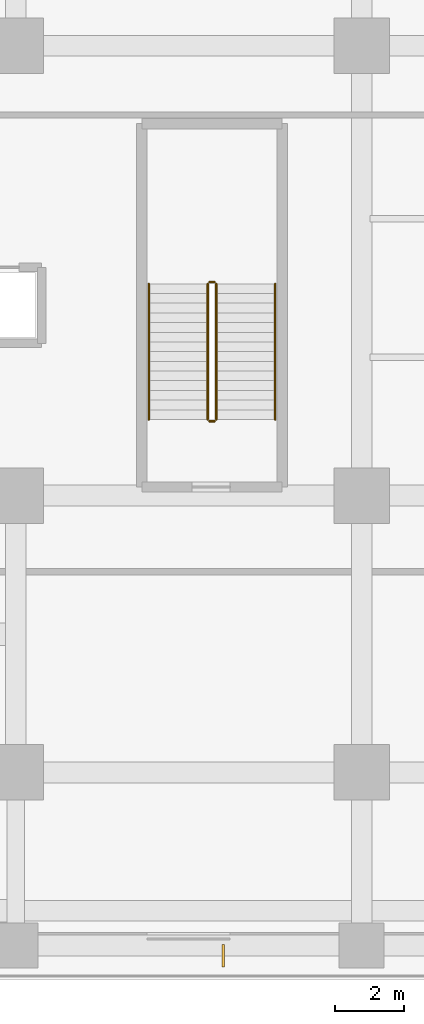
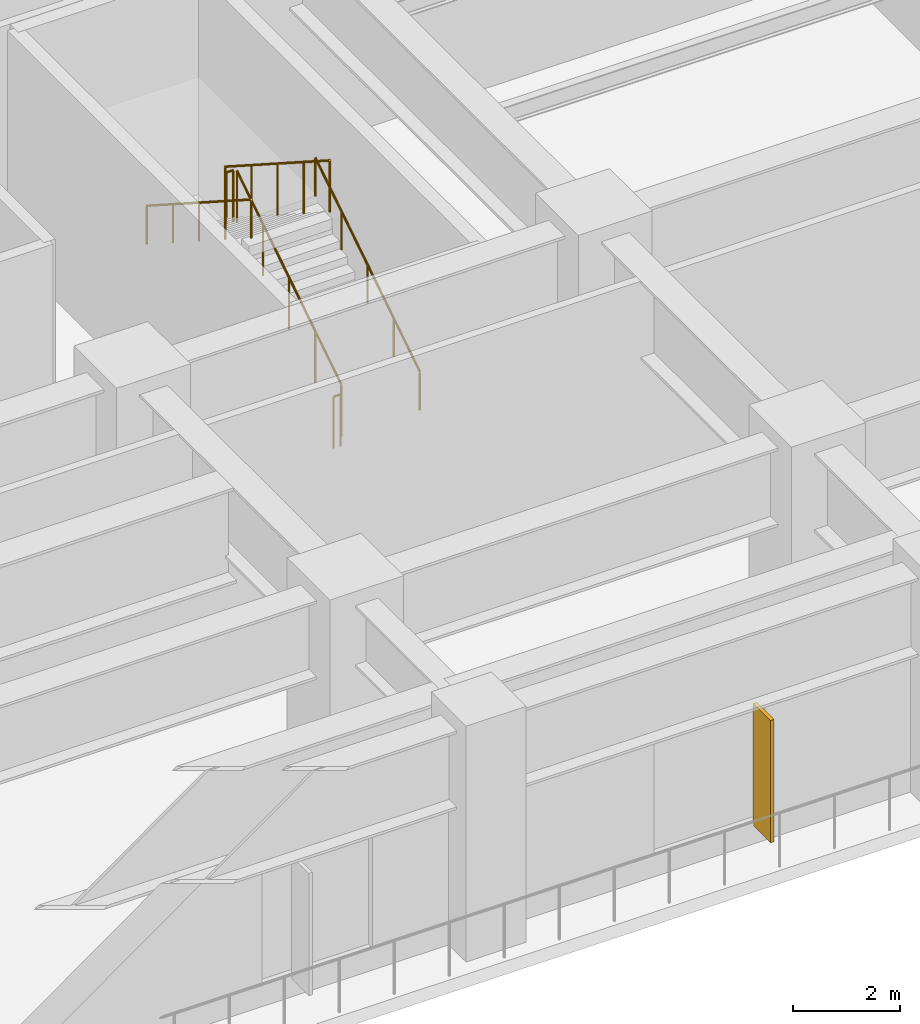
# One storey, part 28 of 28: 6 railings, 1 shading device.
"""IFC4 building model written with IfcOpenShell, lengths in metres."""

from ifc_helpers import new_model, si_unit, direction, frame, origin, origin_2d, place, context, subcontext, project, spatial, rectangle, circle, extrude, source, transform, mapped, material, layer, layer_set, type_object, element, save


model = new_model("IFC4")

# Units and contexts
model_context = context("Model", 3, precision=1e-05, world=origin(), true_north=direction((0.0, 1.0)))
body_context = subcontext(model_context, "Body", "Model", "MODEL_VIEW")
ifc_project = project(units=[si_unit("LENGTHUNIT", "METRE"), si_unit("AREAUNIT", "SQUARE_METRE"), si_unit("VOLUMEUNIT", "CUBIC_METRE"), si_unit("PLANEANGLEUNIT", "RADIAN"), si_unit("MASSUNIT", "GRAM", prefix="KILO")], contexts=[model_context])

# Site, building, storey
site_placement = place(None, origin())
site = spatial("IfcSite", under=ifc_project, at=site_placement, CompositionType="ELEMENT")
building_placement = place(site_placement, origin())
building = spatial("IfcBuilding", under=site, at=building_placement, Name="Khorayat Bourse Tower", CompositionType="ELEMENT")
storey_placement = place(building_placement, frame((0.0, 0.0, 6.60009765625)))
storey = spatial("IfcBuildingStorey", under=building, at=storey_placement, Name="L01", CompositionType="ELEMENT", Elevation=6.60009765625)

# Shading device
ifc_material_1 = material(Name="Anodised champagne aluminium", Category="aluminium")
ifc_layer = layer(ifc_material_1, 0.080078125)
ifc_layer_set = layer_set([ifc_layer], Name="Anodised champagne aluminium")
shading_device_type = type_object("IfcShadingDeviceType", Name="SHD-MASHRABIYA-FIN", PredefinedType="USERDEFINED", material=ifc_layer_set)
shared_shape_1 = source(origin(), body_context, "Body", "SweptSolid", [
    extrude(rectangle(XDim=0.080078125, YDim=0.64990234375, at=origin_2d()), origin(), (0.0, 0.0, 1.0), 2.800048828125),
])
shading_device_placement = place(storey_placement, frame((28.0, -37.300048828125, 0.39990234375), z_axis=(0.0, 0.0, 1.0), x_axis=(1.0, 0.0, 0.0)))
element("IfcShadingDevice", 1, at=shading_device_placement, inside=storey, type_object=shading_device_type, Name="L01 Mashrabiya Vertical Shading Fin 4", ObjectType="FIN", PredefinedType="USERDEFINED", context=body_context, shape_type="MappedRepresentation", body=[
    mapped(shared_shape_1, transform((0.0, 0.0, 0.0), scale=1.0)),
])

# Railings
ifc_material_2 = material(Name="Powder-coated steel balustrade", Category="steel")
railing_type_1 = type_object("IfcRailingType", Name="RLG-GUARD-1200", PredefinedType="GUARDRAIL", material=ifc_material_2)
shared_shape_2 = source(origin(), body_context, "Body", "SweptSolid", [
    extrude(circle(Radius=0.02392578125, at=origin_2d()), frame((0.0, 0.0, 1.17578125), z_axis=(-1.0, 0.0, 0.0), x_axis=(0.0, -1.0, 0.0)), (0.0, 0.0, 1.0), 0.14990234375),
    extrude(circle(Radius=0.02099609375, at=origin_2d()), origin(), (0.0, 0.0, 1.0), 1.15185546875),
    extrude(circle(Radius=0.02099609375, at=origin_2d()), frame((-0.14990234375, 0.0, 0.0)), (0.0, 0.0, 1.0), 1.15185546875),
])
for number, where, name in (
    (2, (27.75, -17.830078125, 2.699951171875), "L01 ST-P2 stair guard 2"),
    (3, (27.75, -21.85009765625, 0.0), "L01 ST-P2 stair guard 4"),
):
    element("IfcRailing", number, at=place(storey_placement, frame(where)), inside=storey, type_object=railing_type_1, Name=name, PredefinedType="GUARDRAIL", context=body_context, shape_type="MappedRepresentation", body=[
        mapped(shared_shape_2, transform((0.0, 0.0, 0.0), scale=1.0)),
    ])
shared_shape_3 = source(origin(), body_context, "Body", "SweptSolid", [
    extrude(circle(Radius=0.02392578125, at=origin_2d()), frame((0.0, 0.0, 1.17578125), z_axis=(0.0, 0.841186985886, 0.540744352514), x_axis=(-1.0, 0.0, 0.0)), (0.0, 0.0, 1.0), 4.660400390625),
    extrude(circle(Radius=0.02099609375, at=origin_2d()), origin(), (0.0, 0.0, 1.0), 1.15185546875),
    extrude(circle(Radius=0.02099609375, at=origin_2d()), frame((0.0, 0.97998046875, 0.6298828125)), (0.0, 0.0, 1.0), 1.15185546875),
    extrude(circle(Radius=0.02099609375, at=origin_2d()), frame((0.0, 1.9599609375, 1.260009765625)), (0.0, 0.0, 1.0), 1.15185546875),
    extrude(circle(Radius=0.02099609375, at=origin_2d()), frame((0.0, 2.940185546875, 1.89013671875)), (0.0, 0.0, 1.0), 1.15185546875),
    extrude(circle(Radius=0.02099609375, at=origin_2d()), frame((0.0, 3.920166015625, 2.52001953125)), (0.0, 0.0, 1.0), 1.15185546875),
])
railing_1_placement = place(storey_placement, frame((27.800048828125, -21.800048828125, 0.179931640625)))
element("IfcRailing", 4, at=railing_1_placement, inside=storey, type_object=railing_type_1, Name="L01 ST-P2 stair guard 1", PredefinedType="GUARDRAIL", context=body_context, shape_type="MappedRepresentation", body=[
    mapped(shared_shape_3, transform((0.0, 0.0, 0.0), scale=1.0)),
])
shared_shape_4 = source(origin(), body_context, "Body", "SweptSolid", [
    extrude(circle(Radius=0.02392578125, at=origin_2d()), frame((0.0, 0.0, 1.17578125), z_axis=(0.0, -0.841186985886, 0.540744352514), x_axis=(1.0, 0.0, 0.0)), (0.0, 0.0, 1.0), 4.660400390625),
    extrude(circle(Radius=0.02099609375, at=origin_2d()), origin(), (0.0, 0.0, 1.0), 1.15185546875),
    extrude(circle(Radius=0.02099609375, at=origin_2d()), frame((0.0, -0.97998046875, 0.6298828125)), (0.0, 0.0, 1.0), 1.15185546875),
    extrude(circle(Radius=0.02099609375, at=origin_2d()), frame((0.0, -1.9599609375, 1.260009765625)), (0.0, 0.0, 1.0), 1.15185546875),
    extrude(circle(Radius=0.02099609375, at=origin_2d()), frame((0.0, -2.940185546875, 1.89013671875)), (0.0, 0.0, 1.0), 1.15185546875),
    extrude(circle(Radius=0.02099609375, at=origin_2d()), frame((0.0, -3.920166015625, 2.52001953125)), (0.0, 0.0, 1.0), 1.15185546875),
])
railing_2_placement = place(storey_placement, frame((27.550048828125, -17.8798828125, 2.8798828125)))
element("IfcRailing", 5, at=railing_2_placement, inside=storey, type_object=railing_type_1, Name="L01 ST-P2 stair guard 3", PredefinedType="GUARDRAIL", context=body_context, shape_type="MappedRepresentation", body=[
    mapped(shared_shape_4, transform((0.0, 0.0, 0.0), scale=1.0)),
])
ifc_material_3 = material(Name="Brushed bronze stainless-steel handrail", Category="steel")
railing_type_2 = type_object("IfcRailingType", Name="RLG-HAND-900", PredefinedType="HANDRAIL", material=ifc_material_3)
shared_shape_5 = source(origin(), body_context, "Body", "SweptSolid", [
    extrude(circle(Radius=0.02392578125, at=origin_2d()), frame((0.0, 0.0, 0.8759765625), z_axis=(0.0, 0.841186985886, 0.540744352514), x_axis=(-1.0, 0.0, 0.0)), (0.0, 0.0, 1.0), 4.660400390625),
    extrude(circle(Radius=0.02099609375, at=origin_2d()), origin(), (0.0, 0.0, 1.0), 0.851806640625),
    extrude(circle(Radius=0.02099609375, at=origin_2d()), frame((0.0, 0.97998046875, 0.6298828125)), (0.0, 0.0, 1.0), 0.851806640625),
    extrude(circle(Radius=0.02099609375, at=origin_2d()), frame((0.0, 1.9599609375, 1.260009765625)), (0.0, 0.0, 1.0), 0.851806640625),
    extrude(circle(Radius=0.02099609375, at=origin_2d()), frame((0.0, 2.940185546875, 1.89013671875)), (0.0, 0.0, 1.0), 0.851806640625),
    extrude(circle(Radius=0.02099609375, at=origin_2d()), frame((0.0, 3.920166015625, 2.52001953125)), (0.0, 0.0, 1.0), 0.851806640625),
])
railing_3_placement = place(storey_placement, frame((29.5, -21.800048828125, 0.179931640625)))
element("IfcRailing", 6, at=railing_3_placement, inside=storey, type_object=railing_type_2, Name="L01 ST-P2 stair handrail 1", PredefinedType="HANDRAIL", context=body_context, shape_type="MappedRepresentation", body=[
    mapped(shared_shape_5, transform((0.0, 0.0, 0.0), scale=1.0)),
])
shared_shape_6 = source(origin(), body_context, "Body", "SweptSolid", [
    extrude(circle(Radius=0.02392578125, at=origin_2d()), frame((0.0, 0.0, 0.8759765625), z_axis=(0.0, -0.841186985886, 0.540744352514), x_axis=(1.0, 0.0, 0.0)), (0.0, 0.0, 1.0), 4.660400390625),
    extrude(circle(Radius=0.02099609375, at=origin_2d()), origin(), (0.0, 0.0, 1.0), 0.851806640625),
    extrude(circle(Radius=0.02099609375, at=origin_2d()), frame((0.0, -0.97998046875, 0.6298828125)), (0.0, 0.0, 1.0), 0.851806640625),
    extrude(circle(Radius=0.02099609375, at=origin_2d()), frame((0.0, -1.9599609375, 1.260009765625)), (0.0, 0.0, 1.0), 0.851806640625),
    extrude(circle(Radius=0.02099609375, at=origin_2d()), frame((0.0, -2.940185546875, 1.89013671875)), (0.0, 0.0, 1.0), 0.851806640625),
    extrude(circle(Radius=0.02099609375, at=origin_2d()), frame((0.0, -3.920166015625, 2.52001953125)), (0.0, 0.0, 1.0), 0.851806640625),
])
railing_4_placement = place(storey_placement, frame((25.85009765625, -17.8798828125, 2.8798828125)))
element("IfcRailing", 7, at=railing_4_placement, inside=storey, type_object=railing_type_2, Name="L01 ST-P2 stair handrail 2", PredefinedType="HANDRAIL", context=body_context, shape_type="MappedRepresentation", body=[
    mapped(shared_shape_6, transform((0.0, 0.0, 0.0), scale=1.0)),
])

save(model, "model.ifc")
